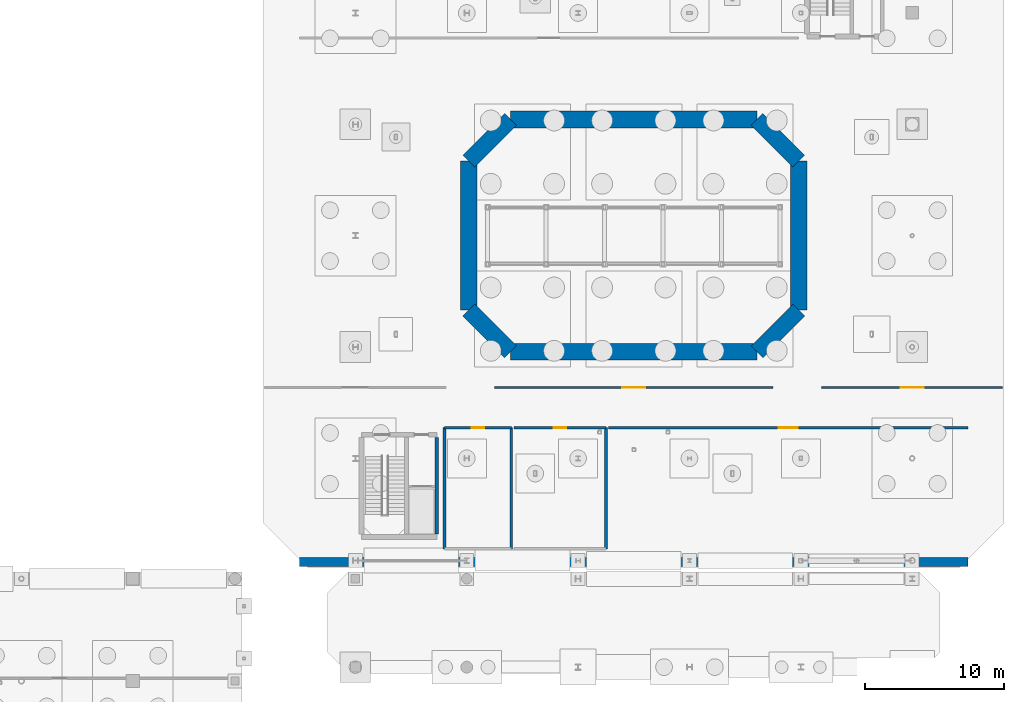
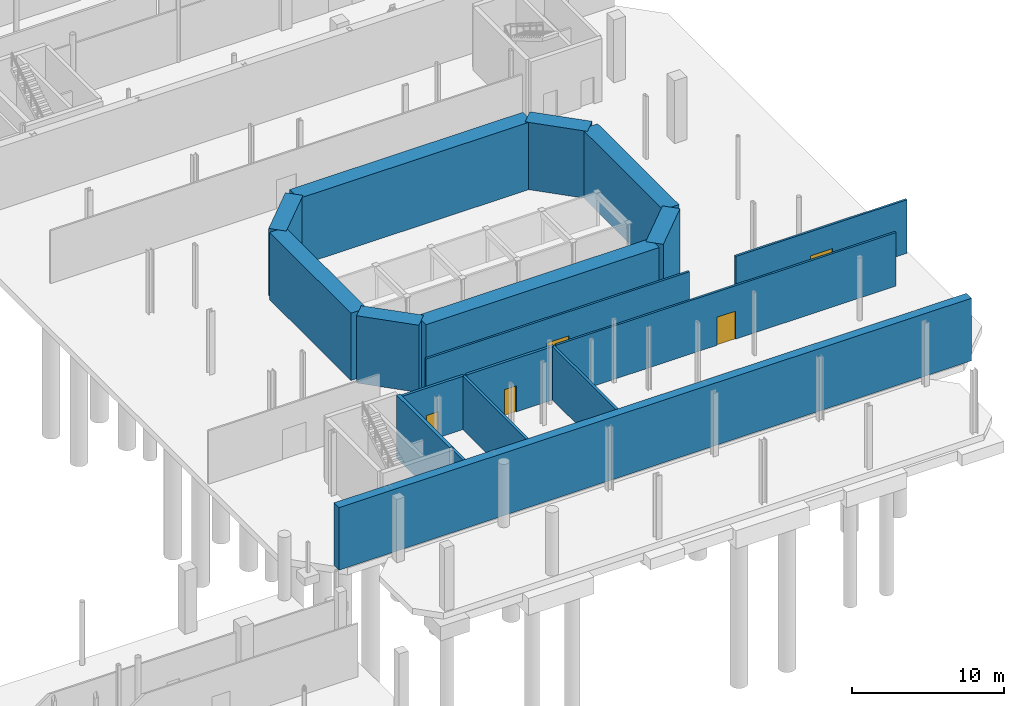
# One storey, part 21 of 33: 18 walls, 5 doors, 5 openings.
"""IFC4 building model written with IfcOpenShell, lengths in metres."""

from ifc_helpers import new_model, si_unit, direction, frame, frame_2d, origin, place, context, subcontext, project, spatial, rectangle, extrude, material, layer, layer_set, type_object, element, fill, save


model = new_model("IFC4")

# Units and contexts
model_context = context("Model", 3, precision=1e-05, world=origin(), true_north=direction((0.0, 1.0)))
body_context = subcontext(model_context, "Body", "Model", "MODEL_VIEW")
ifc_project = project(units=[si_unit("LENGTHUNIT", "METRE"), si_unit("AREAUNIT", "SQUARE_METRE"), si_unit("VOLUMEUNIT", "CUBIC_METRE"), si_unit("PLANEANGLEUNIT", "RADIAN"), si_unit("MASSUNIT", "GRAM", prefix="KILO")], contexts=[model_context])

# Site, building, storey
site_placement = place(None, origin())
site = spatial("IfcSite", under=ifc_project, at=site_placement, CompositionType="ELEMENT")
building_placement = place(site_placement, origin())
building = spatial("IfcBuilding", under=site, at=building_placement, Name="Brisemont Oceanarium", CompositionType="ELEMENT")
storey_placement = place(building_placement, frame((0.0, 0.0, -5.39990234375)))
storey = spatial("IfcBuildingStorey", under=building, at=storey_placement, Name="B01", CompositionType="ELEMENT", Elevation=-5.39990234375)

# Wall, opening, door
ifc_material_1 = material(Name="Moisture-Resistant Gypsum Steel-Stud Partition", Category="steel")
ifc_layer_1 = layer(ifc_material_1, 0.159912109375)
ifc_layer_set_1 = layer_set([ifc_layer_1], Name="Moisture-Resistant Gypsum Steel-Stud Partition")
wall_type_1 = type_object("IfcWallType", Name="IW-FB-160", PredefinedType="PARTITIONING", material=ifc_layer_set_1)
wall_1_placement = place(storey_placement, frame((74.0, 45.10009765625, 0.0), z_axis=(0.0, 0.0, 1.0), x_axis=(1.0, 0.0, 0.0)))
wall_1 = element("IfcWall", 1, at=wall_1_placement, inside=storey, type_object=wall_type_1, Name="Acrylic Viewing Tunnel and Abyssal Trench Exhibit Gallery corridor partition", PredefinedType="PARTITIONING", context=body_context, shape_type="SweptSolid", body=[
    extrude(rectangle(XDim=20.0, YDim=0.159912109375, at=frame_2d((10.0, 0.0))), origin(), (0.0, 0.0, 1.0), 4.289794921875),
])
opening_1_placement = place(wall_1_placement, frame((9.175048828125, 0.0, 0.0)))
opening_1 = element("IfcOpeningElement", 2, at=opening_1_placement, cuts=wall_1, Name="Opening GD-02", PredefinedType="OPENING", context=body_context, shape_type="SweptSolid", body=[
    extrude(rectangle(XDim=1.64990234375, YDim=2.35009765625, at=frame_2d((0.824951171875, 1.175048828125))), frame((0.0, 0.08984375, 0.0), z_axis=(0.0, -1.0, 0.0), x_axis=(1.0, 0.0, 0.0)), (0.0, 0.0, 1.0), 0.179931640625),
])
ifc_material_2 = material(Name="Patinated Architectural Bronze C38500")
door_type_1 = type_object("IfcDoorType", Name="DR-GAL-1650X2350", OperationType="NOTDEFINED", PredefinedType="DOOR", material=ifc_material_2)
door_1_placement = place(opening_1_placement, origin())
door_1 = element("IfcDoor", 3, at=door_1_placement, inside=storey, type_object=door_type_1, Name="GD-02 door to Acrylic Viewing Tunnel and Abyssal Trench Exhibit Gallery", OperationType="SINGLE_SWING_LEFT", OverallHeight=2.35009765625, OverallWidth=1.64990234375, PredefinedType="DOOR", context=body_context, shape_type="SweptSolid", body=[
    extrude(rectangle(XDim=1.64990234375, YDim=2.35009765625, at=frame_2d((0.824951171875, 1.175048828125))), frame((0.0, 0.02490234375, 0.0), z_axis=(0.0, -1.0, 0.0), x_axis=(1.0, 0.0, 0.0)), (0.0, 0.0, 1.0), 0.050048828125),
])
fill(opening_1, door_1)

wall_2_placement = place(storey_placement, frame((82.199951171875, 42.199951171875, 0.0), z_axis=(0.0, 0.0, 1.0), x_axis=(1.0, 0.0, 0.0)))
wall_2 = element("IfcWall", 4, at=wall_2_placement, inside=storey, type_object=wall_type_1, Name="Abyssal Bioluminescence Exhibit Gallery corridor partition", PredefinedType="PARTITIONING", context=body_context, shape_type="SweptSolid", body=[
    extrude(rectangle(XDim=25.800048828125, YDim=0.159912109375, at=frame_2d((12.89990234375, 0.0))), origin(), (0.0, 0.0, 1.0), 4.289794921875),
])
opening_2_placement = place(wall_2_placement, frame((12.2099609375, 0.0, 0.0)))
opening_2 = element("IfcOpeningElement", 5, at=opening_2_placement, cuts=wall_2, Name="Opening PD-01", PredefinedType="OPENING", context=body_context, shape_type="SweptSolid", body=[
    extrude(rectangle(XDim=1.3798828125, YDim=2.25, at=frame_2d((0.68994140625, 1.125))), frame((0.0, 0.08984375, 0.0), z_axis=(0.0, -1.0, 0.0), x_axis=(1.0, 0.0, 0.0)), (0.0, 0.0, 1.0), 0.179931640625),
])
ifc_material_3 = material(Name="Duplex Stainless Steel EN 1.4462", Category="steel")
door_type_2 = type_object("IfcDoorType", Name="DR-PLT-1380X2250", OperationType="NOTDEFINED", PredefinedType="DOOR", material=ifc_material_3)
door_2_placement = place(opening_2_placement, origin())
door_2 = element("IfcDoor", 6, at=door_2_placement, inside=storey, type_object=door_type_2, Name="PD-01 door to Abyssal Bioluminescence Exhibit Gallery", OperationType="SINGLE_SWING_RIGHT", OverallHeight=2.25, OverallWidth=1.3798828125, PredefinedType="DOOR", context=body_context, shape_type="SweptSolid", body=[
    extrude(rectangle(XDim=1.3798828125, YDim=2.25, at=frame_2d((0.68994140625, 1.125))), frame((0.0, 0.02490234375, 0.0), z_axis=(0.0, -1.0, 0.0), x_axis=(1.0, 0.0, 0.0)), (0.0, 0.0, 1.0), 0.050048828125),
])
fill(opening_2, door_2)

wall_3_placement = place(storey_placement, frame((97.5, 45.10009765625, 0.0), z_axis=(0.0, 0.0, 1.0), x_axis=(1.0, 0.0, 0.0)))
wall_3 = element("IfcWall", 7, at=wall_3_placement, inside=storey, type_object=wall_type_1, Name="Life Support Ozone Contact Plant corridor partition", PredefinedType="PARTITIONING", context=body_context, shape_type="SweptSolid", body=[
    extrude(rectangle(XDim=13.0, YDim=0.159912109375, at=frame_2d((6.5, 0.0))), origin(), (0.0, 0.0, 1.0), 4.289794921875),
])
opening_3_placement = place(wall_3_placement, frame((5.675048828125, 0.0, 0.0)))
opening_3 = element("IfcOpeningElement", 8, at=opening_3_placement, cuts=wall_3, Name="Opening GD-02", PredefinedType="OPENING", context=body_context, shape_type="SweptSolid", body=[
    extrude(rectangle(XDim=1.64990234375, YDim=2.35009765625, at=frame_2d((0.824951171875, 1.175048828125))), frame((0.0, 0.08984375, 0.0), z_axis=(0.0, -1.0, 0.0), x_axis=(1.0, 0.0, 0.0)), (0.0, 0.0, 1.0), 0.179931640625),
])
door_3_placement = place(opening_3_placement, origin())
door_3 = element("IfcDoor", 9, at=door_3_placement, inside=storey, type_object=door_type_1, Name="GD-02 door to Life Support Ozone Contact Plant", OperationType="SINGLE_SWING_RIGHT", OverallHeight=2.35009765625, OverallWidth=1.64990234375, PredefinedType="DOOR", context=body_context, shape_type="SweptSolid", body=[
    extrude(rectangle(XDim=1.64990234375, YDim=2.35009765625, at=frame_2d((0.824951171875, 1.175048828125))), frame((0.0, 0.02490234375, 0.0), z_axis=(0.0, -1.0, 0.0), x_axis=(1.0, 0.0, 0.0)), (0.0, 0.0, 1.0), 0.050048828125),
])
fill(opening_3, door_3)

ifc_material_4 = material(Name="Cementitious Tile-Backer Plumbing Wall")
ifc_layer_2 = layer(ifc_material_4, 0.199951171875)
ifc_layer_set_2 = layer_set([ifc_layer_2], Name="Cementitious Tile-Backer Plumbing Wall")
wall_type_2 = type_object("IfcWallType", Name="IW-PLUMB-200", PredefinedType="PLUMBINGWALL", material=ifc_layer_set_2)
wall_4_placement = place(storey_placement, frame((70.39990234375, 42.199951171875, 0.0), z_axis=(0.0, 0.0, 1.0), x_axis=(1.0, 0.0, 0.0)))
wall_4 = element("IfcWall", 10, at=wall_4_placement, inside=storey, type_object=wall_type_2, Name="Accessible WC corridor partition", PredefinedType="PLUMBINGWALL", context=body_context, shape_type="SweptSolid", body=[
    extrude(rectangle(XDim=4.800048828125, YDim=0.199951171875, at=frame_2d((2.39990234375, 0.0))), origin(), (0.0, 0.0, 1.0), 4.289794921875),
])
opening_4_placement = place(wall_4_placement, frame((1.945068359375, 0.0, 0.0)))
opening_4 = element("IfcOpeningElement", 11, at=opening_4_placement, cuts=wall_4, Name="Opening D-03", PredefinedType="OPENING", context=body_context, shape_type="SweptSolid", body=[
    extrude(rectangle(XDim=0.909912109375, YDim=2.10009765625, at=frame_2d((0.455078125, 1.050048828125))), frame((0.0, 0.10986328125, 0.0), z_axis=(0.0, -1.0, 0.0), x_axis=(1.0, 0.0, 0.0)), (0.0, 0.0, 1.0), 0.219970703125),
])
ifc_material_5 = material(Name="FSC White Oak Solid-Core Fire Door")
door_type_3 = type_object("IfcDoorType", Name="DR-WC-910X2100", OperationType="NOTDEFINED", PredefinedType="DOOR", material=ifc_material_5)
door_4_placement = place(opening_4_placement, origin())
door_4 = element("IfcDoor", 12, at=door_4_placement, inside=storey, type_object=door_type_3, Name="D-03 door to Accessible WC", OperationType="SINGLE_SWING_RIGHT", OverallHeight=2.10009765625, OverallWidth=0.909912109375, PredefinedType="DOOR", context=body_context, shape_type="SweptSolid", body=[
    extrude(rectangle(XDim=0.909912109375, YDim=2.10009765625, at=frame_2d((0.455078125, 1.050048828125))), frame((0.0, 0.02490234375, 0.0), z_axis=(0.0, -1.0, 0.0), x_axis=(1.0, 0.0, 0.0)), (0.0, 0.0, 1.0), 0.050048828125),
])
fill(opening_4, door_4)

# Walls
for number, where, z_axis, x_axis, name in (
    (13, (70.39990234375, 33.5, 0.0), (0.0, 0.0, 1.0), (0.0, 1.0, 0.0), "Accessible WC enclosure wall W"),
    (14, (75.199951171875, 33.5, 0.0), (0.0, 0.0, 1.0), (0.0, 1.0, 0.0), "Accessible WC enclosure wall E"),
):
    element("IfcWall", number, at=place(storey_placement, frame(where, z_axis=z_axis, x_axis=x_axis)), inside=storey, type_object=wall_type_2, Name=name, PredefinedType="PLUMBINGWALL", context=body_context, shape_type="SweptSolid", body=[
        extrude(rectangle(XDim=8.699951171875, YDim=0.199951171875, at=frame_2d((4.35009765625, 0.0))), origin(), (0.0, 0.0, 1.0), 4.289794921875),
    ])

# Wall, opening, door
wall_5_placement = place(storey_placement, frame((75.39990234375, 42.199951171875, 0.0), z_axis=(0.0, 0.0, 1.0), x_axis=(1.0, 0.0, 0.0)))
wall_5 = element("IfcWall", 15, at=wall_5_placement, inside=storey, type_object=wall_type_2, Name="Public Restroom corridor partition", PredefinedType="PLUMBINGWALL", context=body_context, shape_type="SweptSolid", body=[
    extrude(rectangle(XDim=6.60009765625, YDim=0.199951171875, at=frame_2d((3.300048828125, 0.0))), origin(), (0.0, 0.0, 1.0), 4.289794921875),
])
opening_5_placement = place(wall_5_placement, frame((2.844970703125, 0.0, 0.0)))
opening_5 = element("IfcOpeningElement", 16, at=opening_5_placement, cuts=wall_5, Name="Opening D-03", PredefinedType="OPENING", context=body_context, shape_type="SweptSolid", body=[
    extrude(rectangle(XDim=0.909912109375, YDim=2.10009765625, at=frame_2d((0.455078125, 1.050048828125))), frame((0.0, 0.10986328125, 0.0), z_axis=(0.0, -1.0, 0.0), x_axis=(1.0, 0.0, 0.0)), (0.0, 0.0, 1.0), 0.219970703125),
])
door_5_placement = place(opening_5_placement, origin())
door_5 = element("IfcDoor", 17, at=door_5_placement, inside=storey, type_object=door_type_3, Name="D-03 door to Public Restroom", OperationType="SINGLE_SWING_LEFT", OverallHeight=2.10009765625, OverallWidth=0.909912109375, PredefinedType="DOOR", context=body_context, shape_type="SweptSolid", body=[
    extrude(rectangle(XDim=0.909912109375, YDim=2.10009765625, at=frame_2d((0.455078125, 1.050048828125))), frame((0.0, 0.02490234375, 0.0), z_axis=(0.0, -1.0, 0.0), x_axis=(1.0, 0.0, 0.0)), (0.0, 0.0, 1.0), 0.050048828125),
])
fill(opening_5, door_5)

# Walls
wall_6_placement = place(storey_placement, frame((82.0, 33.5, 0.0), z_axis=(0.0, 0.0, 1.0), x_axis=(0.0, 1.0, 0.0)))
element("IfcWall", 18, at=wall_6_placement, inside=storey, type_object=wall_type_2, Name="Public Restroom enclosure wall E", PredefinedType="PLUMBINGWALL", context=body_context, shape_type="SweptSolid", body=[
    extrude(rectangle(XDim=8.699951171875, YDim=0.199951171875, at=frame_2d((4.35009765625, 0.0))), origin(), (0.0, 0.0, 1.0), 4.289794921875),
])
ifc_material_6 = material(Name="Concrete C40/50", Category="concrete")
ifc_layer_3 = layer(ifc_material_6, 0.64990234375)
ifc_layer_set_3 = layer_set([ifc_layer_3], Name="Concrete C40/50")
wall_type_3 = type_object("IfcWallType", Name="SW-RET-650", PredefinedType="USERDEFINED", material=ifc_layer_set_3)
wall_7_placement = place(storey_placement, frame((60.0, 32.550048828125, 0.0), z_axis=(0.0, 0.0, 1.0), x_axis=(1.0, 0.0, 0.0)))
element("IfcWall", 19, at=wall_7_placement, inside=storey, type_object=wall_type_3, Name="Hillside RC retaining wall RET-V1-S", ObjectType="RETAINING_WALL", PredefinedType="USERDEFINED", context=body_context, shape_type="SweptSolid", body=[
    extrude(rectangle(XDim=48.0, YDim=0.64990234375, at=frame_2d((24.0, 0.0))), origin(), (0.0, 0.0, 1.0), 5.02001953125),
])
ifc_material_7 = material(Name="Concrete C40/50", Category="concrete")
ifc_layer_4 = layer(ifc_material_7, 0.260009765625)
ifc_layer_set_4 = layer_set([ifc_layer_4], Name="Concrete C40/50")
wall_type_4 = type_object("IfcWallType", Name="SW-SHAFT-260", PredefinedType="SHEAR", material=ifc_layer_set_4)
wall_8_placement = place(storey_placement, frame((69.85009765625, 34.550048828125, 0.0), z_axis=(0.0, 0.0, 1.0), x_axis=(0.0, 1.0, 0.0)))
element("IfcWall", 20, at=wall_8_placement, inside=storey, type_object=wall_type_4, Name="Core C1 B01 E RC shear wall", PredefinedType="SHEAR", context=body_context, shape_type="SweptSolid", body=[
    extrude(rectangle(XDim=6.949951171875, YDim=0.260009765625, at=frame_2d((3.47509765625, 0.0))), origin(), (0.0, 0.0, 1.0), 5.02978515625),
])
ifc_material_8 = material(Name="Concrete C40/50", Category="concrete")
ifc_layer_5 = layer(ifc_material_8, 1.199951171875)
ifc_layer_set_5 = layer_set([ifc_layer_5], Name="Concrete C40/50")
wall_type_5 = type_object("IfcWallType", Name="SW-TANK-1200", PredefinedType="SOLIDWALL", material=ifc_layer_set_5)
wall_9_placement = place(storey_placement, frame((75.14990234375, 47.64990234375, 0.0), z_axis=(0.0, 0.0, 1.0), x_axis=(1.0, 0.0, 0.0)))
element("IfcWall", 21, at=wall_9_placement, inside=storey, type_object=wall_type_5, Name="V4 Ocean Tank B01 vessel wall 1", PredefinedType="SOLIDWALL", context=body_context, shape_type="SweptSolid", body=[
    extrude(rectangle(XDim=17.7001953125, YDim=1.199951171875, at=frame_2d((8.85009765625, 0.0))), origin(), (0.0, 0.0, 1.0), 5.39990234375),
])
wall_10_placement = place(storey_placement, frame((92.85009765625, 47.64990234375, 0.0), z_axis=(0.0, 0.0, 1.0), x_axis=(0.707106781187, 0.707106781187, 0.0)))
element("IfcWall", 22, at=wall_10_placement, inside=storey, type_object=wall_type_5, Name="V4 Ocean Tank B01 vessel wall 2", PredefinedType="SOLIDWALL", context=body_context, shape_type="SweptSolid", body=[
    extrude(rectangle(XDim=4.24267578125, YDim=1.199951171875, at=frame_2d((2.121337890625, 0.0))), origin(), (0.0, 0.0, 1.0), 5.39990234375),
])
wall_11_placement = place(storey_placement, frame((95.85009765625, 50.64990234375, 0.0), z_axis=(0.0, 0.0, 1.0), x_axis=(0.0, 1.0, 0.0)))
element("IfcWall", 23, at=wall_11_placement, inside=storey, type_object=wall_type_5, Name="V4 Ocean Tank B01 vessel wall 3", PredefinedType="SOLIDWALL", context=body_context, shape_type="SweptSolid", body=[
    extrude(rectangle(XDim=10.7001953125, YDim=1.199951171875, at=frame_2d((5.35009765625, 0.0))), origin(), (0.0, 0.0, 1.0), 5.39990234375),
])
wall_12_placement = place(storey_placement, frame((95.85009765625, 61.35009765625, 0.0), z_axis=(0.0, 0.0, 1.0), x_axis=(-0.707106781187, 0.707106781187, 0.0)))
element("IfcWall", 24, at=wall_12_placement, inside=storey, type_object=wall_type_5, Name="V4 Ocean Tank B01 vessel wall 4", PredefinedType="SOLIDWALL", context=body_context, shape_type="SweptSolid", body=[
    extrude(rectangle(XDim=4.24267578125, YDim=1.199951171875, at=frame_2d((2.121337890625, 0.0))), origin(), (0.0, 0.0, 1.0), 5.39990234375),
])
wall_13_placement = place(storey_placement, frame((92.85009765625, 64.35009765625, 0.0), z_axis=(0.0, 0.0, 1.0), x_axis=(-1.0, 0.0, 0.0)))
element("IfcWall", 25, at=wall_13_placement, inside=storey, type_object=wall_type_5, Name="V4 Ocean Tank B01 vessel wall 5", PredefinedType="SOLIDWALL", context=body_context, shape_type="SweptSolid", body=[
    extrude(rectangle(XDim=17.7001953125, YDim=1.199951171875, at=frame_2d((8.85009765625, 0.0))), origin(), (0.0, 0.0, 1.0), 5.39990234375),
])
wall_14_placement = place(storey_placement, frame((75.14990234375, 64.35009765625, 0.0), z_axis=(0.0, 0.0, 1.0), x_axis=(-0.707106781187, -0.707106781187, 0.0)))
element("IfcWall", 26, at=wall_14_placement, inside=storey, type_object=wall_type_5, Name="V4 Ocean Tank B01 vessel wall 6", PredefinedType="SOLIDWALL", context=body_context, shape_type="SweptSolid", body=[
    extrude(rectangle(XDim=4.24267578125, YDim=1.199951171875, at=frame_2d((2.121337890625, 0.0))), origin(), (0.0, 0.0, 1.0), 5.39990234375),
])
wall_15_placement = place(storey_placement, frame((72.14990234375, 61.35009765625, 0.0), z_axis=(0.0, 0.0, 1.0), x_axis=(0.0, -1.0, 0.0)))
element("IfcWall", 27, at=wall_15_placement, inside=storey, type_object=wall_type_5, Name="V4 Ocean Tank B01 vessel wall 7", PredefinedType="SOLIDWALL", context=body_context, shape_type="SweptSolid", body=[
    extrude(rectangle(XDim=10.7001953125, YDim=1.199951171875, at=frame_2d((5.35009765625, 0.0))), origin(), (0.0, 0.0, 1.0), 5.39990234375),
])
wall_16_placement = place(storey_placement, frame((72.14990234375, 50.64990234375, 0.0), z_axis=(0.0, 0.0, 1.0), x_axis=(0.707106781187, -0.707106781187, 0.0)))
element("IfcWall", 28, at=wall_16_placement, inside=storey, type_object=wall_type_5, Name="V4 Ocean Tank B01 vessel wall 8", PredefinedType="SOLIDWALL", context=body_context, shape_type="SweptSolid", body=[
    extrude(rectangle(XDim=4.24267578125, YDim=1.199951171875, at=frame_2d((2.121337890625, 0.0))), origin(), (0.0, 0.0, 1.0), 5.39990234375),
])

save(model, "model.ifc")
